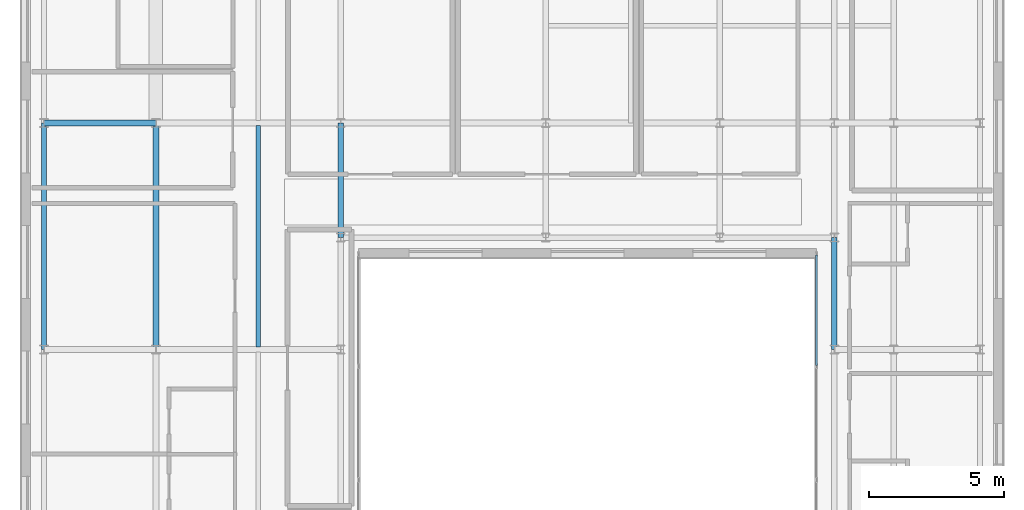
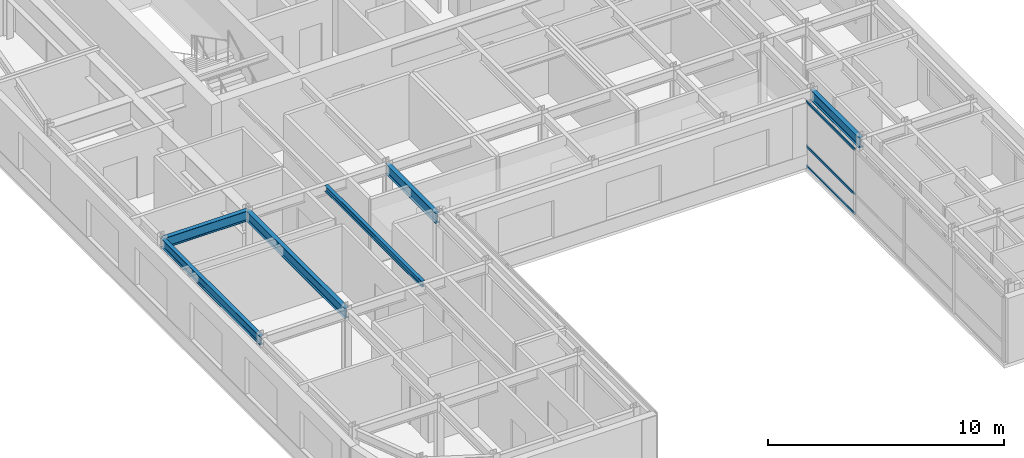
# One storey, part 8 of 21: 6 beams, 3 members, 1 element without a shape of its own.
"""IFC4 building model written with IfcOpenShell, lengths in metres."""

from ifc_helpers import new_model, si_unit, direction, frame, origin, origin_2d, place, context, subcontext, project, spatial, hollow_rectangle, i_section, extrude, source, transform, mapped, material, layer, layer_set, material_profile, profile_set, type_object, type_shapes, element, aggregate, save


model = new_model("IFC4")

# Units and contexts
model_context = context("Model", 3, precision=1e-05, world=origin(), true_north=direction((0.0, 1.0)))
body_context = subcontext(model_context, "Body", "Model", "MODEL_VIEW")
ifc_project = project(units=[si_unit("LENGTHUNIT", "METRE"), si_unit("AREAUNIT", "SQUARE_METRE"), si_unit("VOLUMEUNIT", "CUBIC_METRE"), si_unit("PLANEANGLEUNIT", "RADIAN"), si_unit("MASSUNIT", "GRAM", prefix="KILO")], contexts=[model_context])

# Site, building, storey
site_placement = place(None, origin())
site = spatial("IfcSite", under=ifc_project, at=site_placement, CompositionType="ELEMENT")
building_placement = place(site_placement, origin())
building = spatial("IfcBuilding", under=site, at=building_placement, Name="Tolvann Quenvar Hotel", CompositionType="ELEMENT")
storey_placement = place(building_placement, frame((0.0, 0.0, 255.85009765625)))
storey = spatial("IfcBuildingStorey", under=building, at=storey_placement, Name="L68", CompositionType="ELEMENT", Elevation=255.85009765625)

# Beams
ifc_material_1 = material(Name="Steel Grade 350", Category="steel")
ifc_material_profile_1 = material_profile(ifc_material_1, i_section(OverallWidth=0.208984375, OverallDepth=0.532958984375, WebThickness=0.01025390625, FlangeThickness=0.015625, FilletRadius=0.013916015625, at=origin_2d()), Name="530UB92")
ifc_profile_set_1 = profile_set([ifc_material_profile_1], Name="Steel Grade 350")
beam_type_1 = type_object("IfcBeamType", Name="BM_GIRD_530UB92", PredefinedType="BEAM", material=ifc_profile_set_1)
shared_shape_1 = source(origin(), body_context, "Body", "SweptSolid", [
    extrude(i_section(OverallWidth=0.208984375, OverallDepth=0.532958984375, WebThickness=0.01025390625, FlangeThickness=0.015625, FilletRadius=0.013916015625, at=origin_2d()), origin(), (0.0, 0.0, 1.0), 8.39990234375),
])
beam_1_placement = place(storey_placement, frame((7.60009765625, 16.0, 3.103515625), z_axis=(0.0, 1.0, 0.0), x_axis=(-1.0, 0.0, 0.0)))
element("IfcBeam", 1, at=beam_1_placement, inside=storey, type_object=beam_type_1, Name="BM-L68-NS-C4-C5", PredefinedType="BEAM", context=body_context, shape_type="MappedRepresentation", body=[
    mapped(shared_shape_1, transform((0.0, 0.0, 0.0), x_axis=(1.0, 0.0, 0.0), y_axis=(0.0, 1.0, 0.0), z_axis=(0.0, 0.0, 1.0), scale=1.0)),
])
ifc_material_profile_2 = material_profile(ifc_material_1, i_section(OverallWidth=0.19091796875, OverallDepth=0.4599609375, WebThickness=0.010009765625, FlangeThickness=0.01611328125, FilletRadius=0.011474609375, at=origin_2d()), Name="460UB82")
ifc_profile_set_2 = profile_set([ifc_material_profile_2], Name="Steel Grade 350")
beam_type_2 = type_object("IfcBeamType", Name="BM_SPAND_460UB82", PredefinedType="SPANDREL", material=ifc_profile_set_2)
shared_shape_2 = source(origin(), body_context, "Body", "SweptSolid", [
    extrude(i_section(OverallWidth=0.19091796875, OverallDepth=0.4599609375, WebThickness=0.010009765625, FlangeThickness=0.01611328125, FilletRadius=0.011474609375, at=origin_2d()), origin(), (0.0, 0.0, 1.0), 8.39990234375),
])
type_shapes(beam_type_2, [shared_shape_2])
beam_2_placement = place(storey_placement, frame((3.449951171875, 16.0, 3.139892578125), z_axis=(0.0, 1.0, 0.0), x_axis=(-1.0, 0.0, 0.0)))
element("IfcBeam", 2, at=beam_2_placement, inside=storey, type_object=beam_type_2, Name="BM-L68-NS-B4-B5", PredefinedType="SPANDREL", context=body_context, shape_type="MappedRepresentation", body=[
    mapped(shared_shape_2, transform((0.0, 0.0, 0.0), x_axis=(1.0, 0.0, 0.0), y_axis=(0.0, 1.0, 0.0), z_axis=(0.0, 0.0, 1.0), scale=1.0)),
])
shared_shape_3 = source(origin(), body_context, "Body", "SweptSolid", [
    extrude(i_section(OverallWidth=0.208984375, OverallDepth=0.532958984375, WebThickness=0.01025390625, FlangeThickness=0.015625, FilletRadius=0.013916015625, at=origin_2d()), origin(), (0.0, 0.0, 1.0), 4.150146484375),
])
beam_3_placement = place(storey_placement, frame((3.449951171875, 24.39990234375, 3.103515625), z_axis=(1.0, 0.0, 0.0), x_axis=(0.0, 1.0, 0.0)))
element("IfcBeam", 3, at=beam_3_placement, inside=storey, type_object=beam_type_1, Name="BM-L68-EW-5-B5-C5", PredefinedType="BEAM", context=body_context, shape_type="MappedRepresentation", body=[
    mapped(shared_shape_3, transform((0.0, 0.0, 0.0), x_axis=(1.0, 0.0, 0.0), y_axis=(0.0, 1.0, 0.0), z_axis=(0.0, 0.0, 1.0), scale=1.0)),
])
shared_shape_4 = source(origin(), body_context, "Body", "SweptSolid", [
    extrude(i_section(OverallWidth=0.208984375, OverallDepth=0.532958984375, WebThickness=0.01025390625, FlangeThickness=0.015625, FilletRadius=0.013916015625, at=origin_2d()), origin(), (0.0, 0.0, 1.0), 4.25),
])
beam_4_placement = place(storey_placement, frame((14.449951171875, 20.14990234375, 3.103515625), z_axis=(0.0, 1.0, 0.0), x_axis=(-1.0, 0.0, 0.0)))
element("IfcBeam", 4, at=beam_4_placement, inside=storey, type_object=beam_type_1, Name="BM-L68-NS-D4P-D5", PredefinedType="BEAM", context=body_context, shape_type="MappedRepresentation", body=[
    mapped(shared_shape_4, transform((0.0, 0.0, 0.0), x_axis=(1.0, 0.0, 0.0), y_axis=(0.0, 1.0, 0.0), z_axis=(0.0, 0.0, 1.0), scale=1.0)),
])
shared_shape_5 = source(origin(), body_context, "Body", "SweptSolid", [
    extrude(i_section(OverallWidth=0.208984375, OverallDepth=0.532958984375, WebThickness=0.01025390625, FlangeThickness=0.015625, FilletRadius=0.013916015625, at=origin_2d()), origin(), (0.0, 0.0, 1.0), 4.14990234375),
])
type_shapes(beam_type_1, [shared_shape_1, shared_shape_3, shared_shape_4, shared_shape_5])
beam_5_placement = place(storey_placement, frame((32.75, 16.0, 3.103515625), z_axis=(0.0, 1.0, 0.0), x_axis=(-1.0, 0.0, 0.0)))
element("IfcBeam", 5, at=beam_5_placement, inside=storey, type_object=beam_type_1, Name="BM-L68-NS-FP4-FP4P", PredefinedType="BEAM", context=body_context, shape_type="MappedRepresentation", body=[
    mapped(shared_shape_5, transform((0.0, 0.0, 0.0), x_axis=(1.0, 0.0, 0.0), y_axis=(0.0, 1.0, 0.0), z_axis=(0.0, 0.0, 1.0), scale=1.0)),
])
ifc_material_profile_3 = material_profile(ifc_material_1, i_section(OverallWidth=0.166015625, OverallDepth=0.306884765625, WebThickness=0.006591796875, FlangeThickness=0.01171875, FilletRadius=0.011474609375, at=origin_2d()), Name="310UB46")
ifc_profile_set_3 = profile_set([ifc_material_profile_3], Name="Steel Grade 350")
beam_type_3 = type_object("IfcBeamType", Name="BM_JOIST_310UB46", PredefinedType="JOIST", material=ifc_profile_set_3)
shared_shape_6 = source(origin(), body_context, "Body", "SweptSolid", [
    extrude(i_section(OverallWidth=0.166015625, OverallDepth=0.306884765625, WebThickness=0.006591796875, FlangeThickness=0.01171875, FilletRadius=0.011474609375, at=origin_2d()), origin(), (0.0, 0.0, 1.0), 8.203125),
])
type_shapes(beam_type_3, [shared_shape_6])
beam_6_placement = place(storey_placement, frame((11.39990234375, 16.098388671875, 3.21630859375), z_axis=(0.0, 1.0, 0.0), x_axis=(-1.0, 0.0, 0.0)))
element("IfcBeam", 6, at=beam_6_placement, inside=storey, type_object=beam_type_3, Name="BJ-L68-114-160", PredefinedType="JOIST", context=body_context, shape_type="MappedRepresentation", body=[
    mapped(shared_shape_6, transform((0.0, 0.0, 0.0), x_axis=(1.0, 0.0, 0.0), y_axis=(0.0, 1.0, 0.0), z_axis=(0.0, 0.0, 1.0), scale=1.0)),
])

# Curtain wall, members
ifc_material_2 = material(Name="Thermally broken anodised architectural aluminium 6063-T6 and laminated low-E glass", Category="aluminium")
ifc_layer = layer(ifc_material_2, 0.179931640625)
ifc_layer_set = layer_set([ifc_layer], Name="Thermally broken anodised architectural aluminium 6063-T6 and laminated low-E glass")
curtain_wall_type = type_object("IfcCurtainWallType", Name="CW_SYS_PORTAL_05", PredefinedType="USERDEFINED", material=ifc_layer_set)
curtain_wall_placement = place(storey_placement, origin())
curtain_wall = element("IfcCurtainWall", 7, at=curtain_wall_placement, inside=storey, type_object=curtain_wall_type, Name="Curtain Wall CW-PORTAL-05 (CWR-L68-E07)", ObjectType="UNITISED CURTAIN WALL", PredefinedType="USERDEFINED")
ifc_material_3 = material(Name="Anodised architectural aluminium 6063-T6 framing", Category="aluminium")
ifc_material_profile_4 = material_profile(ifc_material_3, hollow_rectangle(XDim=0.06005859375, YDim=0.1201171875, WallThickness=0.00341796875, at=origin_2d()), Name="120x60x3.5RHS")
ifc_profile_set_4 = profile_set([ifc_material_profile_4], Name="Anodised architectural aluminium 6063-T6 framing")
member_type = type_object("IfcMemberType", Name="CW_TRAN_120x60", PredefinedType="USERDEFINED", material=ifc_profile_set_4)
shared_shape_7 = source(origin(), body_context, "Body", "SweptSolid", [
    extrude(hollow_rectangle(XDim=0.06005859375, YDim=0.1201171875, WallThickness=0.00341796875, at=origin_2d()), origin(), (0.0, 0.0, 1.0), 4.094970703125),
])
type_shapes(member_type, [shared_shape_7])
member_1_placement = place(storey_placement, frame((32.090087890625, 19.5048828125, 0.02978515625), z_axis=(0.0, -1.0, 0.0), x_axis=(1.0, 0.0, 0.0)))
member_1 = element("IfcMember", 8, at=member_1_placement, type_object=member_type, Name="CW-PORTAL-05 transom 1.1", ObjectType="TRANSOM", PredefinedType="USERDEFINED", context=body_context, shape_type="MappedRepresentation", body=[
    mapped(shared_shape_7, transform((0.0, 0.0, 0.0), x_axis=(1.0, 0.0, 0.0), y_axis=(0.0, 1.0, 0.0), z_axis=(0.0, 0.0, 1.0), scale=1.0)),
])
member_2_placement = place(storey_placement, frame((32.090087890625, 19.5048828125, 1.0498046875), z_axis=(0.0, -1.0, 0.0), x_axis=(1.0, 0.0, 0.0)))
member_2 = element("IfcMember", 9, at=member_2_placement, type_object=member_type, Name="CW-PORTAL-05 transom 1.2", ObjectType="TRANSOM", PredefinedType="USERDEFINED", context=body_context, shape_type="MappedRepresentation", body=[
    mapped(shared_shape_7, transform((0.0, 0.0, 0.0), x_axis=(1.0, 0.0, 0.0), y_axis=(0.0, 1.0, 0.0), z_axis=(0.0, 0.0, 1.0), scale=1.0)),
])
member_3_placement = place(storey_placement, frame((32.090087890625, 19.5048828125, 3.33984375), z_axis=(0.0, -1.0, 0.0), x_axis=(1.0, 0.0, 0.0)))
member_3 = element("IfcMember", 10, at=member_3_placement, type_object=member_type, Name="CW-PORTAL-05 transom 1.3", ObjectType="TRANSOM", PredefinedType="USERDEFINED", context=body_context, shape_type="MappedRepresentation", body=[
    mapped(shared_shape_7, transform((0.0, 0.0, 0.0), x_axis=(1.0, 0.0, 0.0), y_axis=(0.0, 1.0, 0.0), z_axis=(0.0, 0.0, 1.0), scale=1.0)),
])
aggregate(curtain_wall, [member_1, member_2, member_3])

save(model, "model.ifc")
